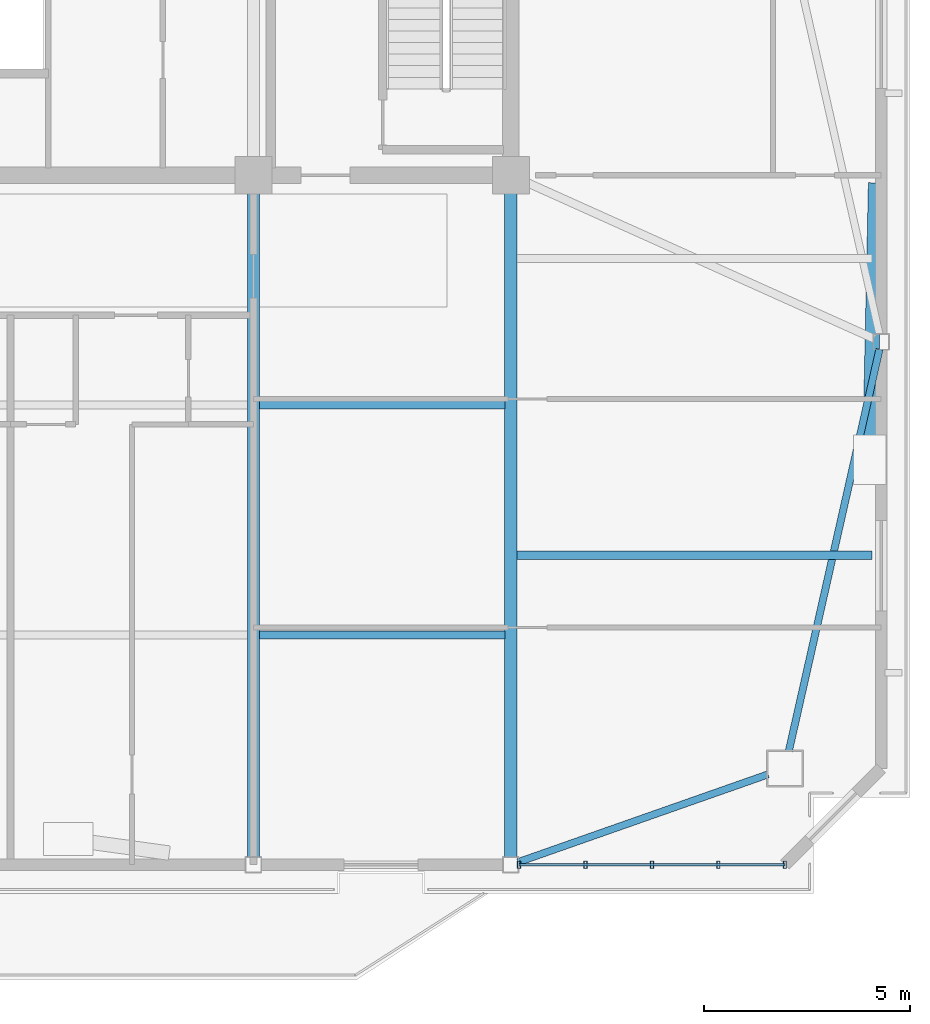
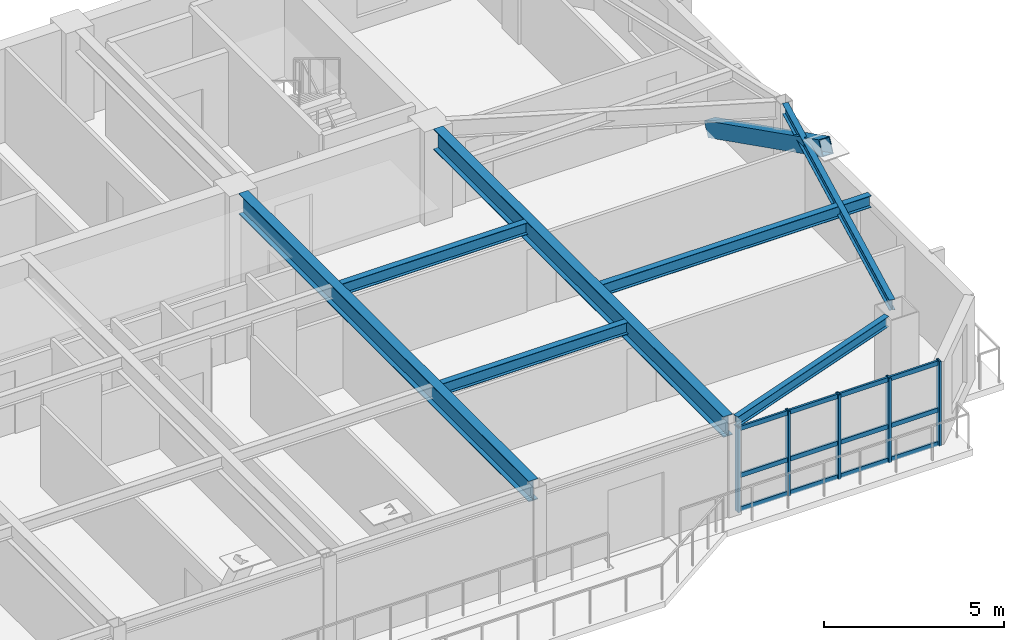
# One storey, part 4 of 14: 9 members, 7 beams, 1 element without a shape of its own.
"""IFC4 building model written with IfcOpenShell, lengths in metres."""

from ifc_helpers import new_model, si_unit, direction, frame, origin, origin_2d, place, context, subcontext, project, spatial, hollow_rectangle, i_section, extrude, source, transform, mapped, material, layer, layer_set, material_profile, profile_set, type_object, element, aggregate, save


model = new_model("IFC4")

# Units and contexts
model_context = context("Model", 3, precision=1e-05, world=origin(), true_north=direction((0.0, 1.0)))
body_context = subcontext(model_context, "Body", "Model", "MODEL_VIEW")
ifc_project = project(units=[si_unit("LENGTHUNIT", "METRE"), si_unit("AREAUNIT", "SQUARE_METRE"), si_unit("VOLUMEUNIT", "CUBIC_METRE"), si_unit("PLANEANGLEUNIT", "RADIAN"), si_unit("MASSUNIT", "GRAM", prefix="KILO")], contexts=[model_context])

# Site, building, storey
site_placement = place(None, origin())
site = spatial("IfcSite", under=ifc_project, at=site_placement, CompositionType="ELEMENT")
building_placement = place(site_placement, origin())
building = spatial("IfcBuilding", under=site, at=building_placement, Name="Giltprow Tower", CompositionType="ELEMENT")
storey_placement = place(building_placement, frame((0.0, 0.0, 317.60009765625)))
storey = spatial("IfcBuildingStorey", under=building, at=storey_placement, Name="L82", CompositionType="ELEMENT", Elevation=317.60009765625)

# Beams
ifc_material_1 = material(Name="Structural steel Q355B", Category="steel")
ifc_material_profile_1 = material_profile(ifc_material_1, i_section(OverallWidth=0.199951171875, OverallDepth=0.39990234375, WebThickness=0.008056640625, FlangeThickness=0.012939453125, at=origin_2d()), Name="HN 400x200x8x13")
ifc_profile_set_1 = profile_set([ifc_material_profile_1], Name="Structural steel Q355B")
beam_type_1 = type_object("IfcBeamType", Name="BM-JOIST-HN400", PredefinedType="JOIST", material=ifc_profile_set_1)
shared_shape_1 = source(origin(), body_context, "Body", "SweptSolid", [
    extrude(i_section(OverallWidth=0.199951171875, OverallDepth=0.39990234375, WebThickness=0.008056640625, FlangeThickness=0.012939453125, at=origin_2d()), origin(), (0.0, 0.0, 1.0), 5.9599609375),
])
for number, where, z_axis, x_axis, name in (
    (1, (44.445068359375, 26.285888671875, 2.98486328125), (1.0, 0.0, 0.0), (0.0, 1.0, 0.0), "L82 Composite Floor Joist 1-4"),
    (2, (44.445068359375, 31.867919921875, 2.98486328125), (1.0, 0.0, 0.0), (0.0, 1.0, 0.0), "L82 Composite Floor Joist 2-4"),
):
    element("IfcBeam", number, at=place(storey_placement, frame(where, z_axis=z_axis, x_axis=x_axis)), inside=storey, type_object=beam_type_1, Name=name, PredefinedType="JOIST", context=body_context, shape_type="MappedRepresentation", body=[
        mapped(shared_shape_1, transform((0.0, 0.0, 0.0), x_axis=(1.0, 0.0, 0.0), y_axis=(0.0, 1.0, 0.0), z_axis=(0.0, 0.0, 1.0), scale=1.0)),
    ])
ifc_material_profile_2 = material_profile(ifc_material_1, i_section(OverallWidth=0.175048828125, OverallDepth=0.35009765625, WebThickness=0.007080078125, FlangeThickness=0.010986328125, at=origin_2d()), Name="HN 350x175x7x11")
ifc_profile_set_2 = profile_set([ifc_material_profile_2], Name="Structural steel Q355B")
beam_type_2 = type_object("IfcBeamType", Name="BM-SPAN-HN350", PredefinedType="SPANDREL", material=ifc_profile_set_2)
shared_shape_2 = source(origin(), body_context, "Body", "SweptSolid", [
    extrude(i_section(OverallWidth=0.175048828125, OverallDepth=0.35009765625, WebThickness=0.007080078125, FlangeThickness=0.010986328125, at=origin_2d()), origin(), (0.0, 0.0, 1.0), 6.436767578125),
])
beam_1_placement = place(storey_placement, frame((50.72509765625, 20.764892578125, 3.010009765625), z_axis=(0.943494118262, 0.331389270804, 0.0), x_axis=(-0.331389270804, 0.943494118262, 0.0)))
element("IfcBeam", 3, at=beam_1_placement, inside=storey, type_object=beam_type_2, Name="L82 Perimeter Spandrel Beam S4-MC_SE", PredefinedType="SPANDREL", context=body_context, shape_type="MappedRepresentation", body=[
    mapped(shared_shape_2, transform((0.0, 0.0, 0.0), x_axis=(1.0, 0.0, 0.0), y_axis=(0.0, 1.0, 0.0), z_axis=(0.0, 0.0, 1.0), scale=1.0)),
])
shared_shape_3 = source(origin(), body_context, "Body", "SweptSolid", [
    extrude(i_section(OverallWidth=0.175048828125, OverallDepth=0.35009765625, WebThickness=0.007080078125, FlangeThickness=0.010986328125, at=origin_2d()), origin(), (0.0, 0.0, 1.0), 10.0009765625),
])
beam_2_placement = place(storey_placement, frame((57.303955078125, 23.466064453125, 3.010009765625), z_axis=(0.22006980481, 0.975484126478, 0.0), x_axis=(-0.975484126478, 0.22006980481, 0.0)))
element("IfcBeam", 4, at=beam_2_placement, inside=storey, type_object=beam_type_2, Name="L82 Perimeter Spandrel Beam MC_SE-E_MID", PredefinedType="SPANDREL", context=body_context, shape_type="MappedRepresentation", body=[
    mapped(shared_shape_3, transform((0.0, 0.0, 0.0), x_axis=(1.0, 0.0, 0.0), y_axis=(0.0, 1.0, 0.0), z_axis=(0.0, 0.0, 1.0), scale=1.0)),
])
ifc_material_profile_3 = material_profile(ifc_material_1, i_section(OverallWidth=0.300048828125, OverallDepth=0.699951171875, WebThickness=0.012939453125, FlangeThickness=0.02392578125, at=origin_2d()), Name="HN 700x300x13x24")
ifc_profile_set_3 = profile_set([ifc_material_profile_3], Name="Structural steel Q355B")
beam_type_3 = type_object("IfcBeamType", Name="BM-GIRD-HN700", PredefinedType="BEAM", material=ifc_profile_set_3)
shared_shape_4 = source(origin(), body_context, "Body", "SweptSolid", [
    extrude(i_section(OverallWidth=0.300048828125, OverallDepth=0.699951171875, WebThickness=0.012939453125, FlangeThickness=0.02392578125, at=origin_2d()), origin(), (0.0, 0.0, 1.0), 16.1259765625),
])
for number, where, z_axis, x_axis, name in (
    (5, (44.300048828125, 20.888916015625, 2.8349609375), (0.0, 1.0, 0.0), (-1.0, 0.0, 0.0), "L82 Primary Lease Girder S3"),
    (6, (50.550048828125, 20.888916015625, 2.8349609375), (0.0, 1.0, 0.0), (-1.0, 0.0, 0.0), "L82 Primary Lease Girder S4"),
):
    element("IfcBeam", number, at=place(storey_placement, frame(where, z_axis=z_axis, x_axis=x_axis)), inside=storey, type_object=beam_type_3, Name=name, PredefinedType="BEAM", context=body_context, shape_type="MappedRepresentation", body=[
        mapped(shared_shape_4, transform((0.0, 0.0, 0.0), x_axis=(1.0, 0.0, 0.0), y_axis=(0.0, 1.0, 0.0), z_axis=(0.0, 0.0, 1.0), scale=1.0)),
    ])
shared_shape_5 = source(origin(), body_context, "Body", "SweptSolid", [
    extrude(i_section(OverallWidth=0.199951171875, OverallDepth=0.39990234375, WebThickness=0.008056640625, FlangeThickness=0.012939453125, at=origin_2d()), origin(), (0.0, 0.0, 1.0), 8.630859375),
])
beam_3_placement = place(storey_placement, frame((50.695068359375, 28.221923828125, 2.98486328125), z_axis=(1.0, 0.0, 0.0), x_axis=(0.0, 1.0, 0.0)))
element("IfcBeam", 7, at=beam_3_placement, inside=storey, type_object=beam_type_1, Name="L82 East Wing Floor Joist 1", PredefinedType="JOIST", context=body_context, shape_type="MappedRepresentation", body=[
    mapped(shared_shape_5, transform((0.0, 0.0, 0.0), x_axis=(1.0, 0.0, 0.0), y_axis=(0.0, 1.0, 0.0), z_axis=(0.0, 0.0, 1.0), scale=1.0)),
])

# Member
ifc_material_2 = material(Name="Structural steel Q420GJC", Category="steel")
ifc_material_profile_4 = material_profile(ifc_material_2, hollow_rectangle(XDim=0.35009765625, YDim=0.5, WallThickness=0.02392578125, at=origin_2d()), Name="RHS 500x350x24")
ifc_profile_set_4 = profile_set([ifc_material_profile_4], Name="Structural steel Q420GJC")
member_type_1 = type_object("IfcMemberType", Name="MBR-MEGA-RHS500", PredefinedType="BRACE", material=ifc_profile_set_4)
shared_shape_6 = source(origin(), body_context, "Body", "SweptSolid", [
    extrude(hollow_rectangle(XDim=0.35009765625, YDim=0.5, WallThickness=0.02392578125, at=origin_2d()), origin(), (0.0, 0.0, 1.0), 7.43603515625),
])
member_1_placement = place(storey_placement, frame((59.407958984375, 37.15087890625, 0.0), z_axis=(-0.018681440877, -0.889157788811, 0.457219236651), x_axis=(0.999779357426, -0.021005629362, 0.0)))
element("IfcMember", 8, at=member_1_placement, inside=storey, type_object=member_type_1, Name="L82 Chevron Mega-Brace E-D", PredefinedType="BRACE", context=body_context, shape_type="MappedRepresentation", body=[
    mapped(shared_shape_6, transform((0.0, 0.0, 0.0), x_axis=(1.0, 0.0, 0.0), y_axis=(0.0, 1.0, 0.0), z_axis=(0.0, 0.0, 1.0), scale=1.0)),
])

# Curtain wall, members
ifc_material_3 = material(Name="Anodized bronze", Category="metal")
ifc_layer = layer(ifc_material_3, 0.179931640625, Name="Anodized bronze")
ifc_layer_set = layer_set([ifc_layer], Name="Anodized bronze")
curtain_wall_type = type_object("IfcCurtainWallType", Name="CW-RES-SKY", PredefinedType="NOTDEFINED", material=ifc_layer_set)
curtain_wall_placement = place(storey_placement, origin())
curtain_wall = element("IfcCurtainWall", 9, at=curtain_wall_placement, inside=storey, type_object=curtain_wall_type, Name="L82 South Recessed Curtain Wall 6", PredefinedType="NOTDEFINED")
ifc_material_profile_5 = material_profile(ifc_material_3, hollow_rectangle(XDim=0.074951171875, YDim=0.179931640625, WallThickness=0.008056640625, at=origin_2d()), Name="RHS 180x75x8")
ifc_profile_set_5 = profile_set([ifc_material_profile_5], Name="Anodized bronze")
member_type_2 = type_object("IfcMemberType", Name="CW-MULLION-180x75", PredefinedType="MULLION", material=ifc_profile_set_5)
shared_shape_7 = source(origin(), body_context, "Body", "SweptSolid", [
    extrude(hollow_rectangle(XDim=0.074951171875, YDim=0.179931640625, WallThickness=0.008056640625, at=origin_2d()), origin(), (0.0, 0.0, 1.0), 2.869873046875),
])
member_2_placement = place(storey_placement, frame((50.75, 20.7041015625, -0.02001953125), z_axis=(0.0, 0.0, 1.0), x_axis=(1.0, 0.0, 0.0)))
member_2 = element("IfcMember", 10, at=member_2_placement, type_object=member_type_2, Name="L82 South Recessed Curtain Wall 6 Mullion 1", PredefinedType="MULLION", context=body_context, shape_type="MappedRepresentation", body=[
    mapped(shared_shape_7, transform((0.0, 0.0, 0.0), x_axis=(1.0, 0.0, 0.0), y_axis=(0.0, 1.0, 0.0), z_axis=(0.0, 0.0, 1.0), scale=1.0)),
])
member_3_placement = place(storey_placement, frame((52.364013671875, 20.7041015625, -0.02001953125), z_axis=(0.0, 0.0, 1.0), x_axis=(1.0, 0.0, 0.0)))
member_3 = element("IfcMember", 11, at=member_3_placement, type_object=member_type_2, Name="L82 South Recessed Curtain Wall 6 Mullion 2", PredefinedType="MULLION", context=body_context, shape_type="MappedRepresentation", body=[
    mapped(shared_shape_7, transform((0.0, 0.0, 0.0), x_axis=(1.0, 0.0, 0.0), y_axis=(0.0, 1.0, 0.0), z_axis=(0.0, 0.0, 1.0), scale=1.0)),
])
member_4_placement = place(storey_placement, frame((53.97900390625, 20.7041015625, -0.02001953125), z_axis=(0.0, 0.0, 1.0), x_axis=(1.0, 0.0, 0.0)))
member_4 = element("IfcMember", 12, at=member_4_placement, type_object=member_type_2, Name="L82 South Recessed Curtain Wall 6 Mullion 3", PredefinedType="MULLION", context=body_context, shape_type="MappedRepresentation", body=[
    mapped(shared_shape_7, transform((0.0, 0.0, 0.0), x_axis=(1.0, 0.0, 0.0), y_axis=(0.0, 1.0, 0.0), z_axis=(0.0, 0.0, 1.0), scale=1.0)),
])
member_5_placement = place(storey_placement, frame((55.593017578125, 20.7041015625, -0.02001953125), z_axis=(0.0, 0.0, 1.0), x_axis=(1.0, 0.0, 0.0)))
member_5 = element("IfcMember", 13, at=member_5_placement, type_object=member_type_2, Name="L82 South Recessed Curtain Wall 6 Mullion 4", PredefinedType="MULLION", context=body_context, shape_type="MappedRepresentation", body=[
    mapped(shared_shape_7, transform((0.0, 0.0, 0.0), x_axis=(1.0, 0.0, 0.0), y_axis=(0.0, 1.0, 0.0), z_axis=(0.0, 0.0, 1.0), scale=1.0)),
])
member_6_placement = place(storey_placement, frame((57.2080078125, 20.7041015625, -0.02001953125), z_axis=(0.0, 0.0, 1.0), x_axis=(1.0, 0.0, 0.0)))
member_6 = element("IfcMember", 14, at=member_6_placement, type_object=member_type_2, Name="L82 South Recessed Curtain Wall 6 Mullion 5", PredefinedType="MULLION", context=body_context, shape_type="MappedRepresentation", body=[
    mapped(shared_shape_7, transform((0.0, 0.0, 0.0), x_axis=(1.0, 0.0, 0.0), y_axis=(0.0, 1.0, 0.0), z_axis=(0.0, 0.0, 1.0), scale=1.0)),
])
ifc_material_profile_6 = material_profile(ifc_material_3, hollow_rectangle(XDim=0.06494140625, YDim=0.14990234375, WallThickness=0.006103515625, at=origin_2d()), Name="RHS 150x65x6")
ifc_profile_set_6 = profile_set([ifc_material_profile_6], Name="Anodized bronze")
member_type_3 = type_object("IfcMemberType", Name="CW-TRANSOM-150x65", PredefinedType="USERDEFINED", material=ifc_profile_set_6)
shared_shape_8 = source(origin(), body_context, "Body", "SweptSolid", [
    extrude(hollow_rectangle(XDim=0.06494140625, YDim=0.14990234375, WallThickness=0.006103515625, at=origin_2d()), origin(), (0.0, 0.0, 1.0), 6.4580078125),
])
member_7_placement = place(storey_placement, frame((50.75, 20.7041015625, 0.039794921875), z_axis=(1.0, 0.0, 0.0), x_axis=(0.0, 1.0, 0.0)))
member_7 = element("IfcMember", 15, at=member_7_placement, type_object=member_type_3, Name="L82 South Recessed Curtain Wall 6 Transom 1", ObjectType="TRANSOM", PredefinedType="USERDEFINED", context=body_context, shape_type="MappedRepresentation", body=[
    mapped(shared_shape_8, transform((0.0, 0.0, 0.0), x_axis=(1.0, 0.0, 0.0), y_axis=(0.0, 1.0, 0.0), z_axis=(0.0, 0.0, 1.0), scale=1.0)),
])
member_8_placement = place(storey_placement, frame((50.75, 20.7041015625, 1.181884765625), z_axis=(1.0, 0.0, 0.0), x_axis=(0.0, 1.0, 0.0)))
member_8 = element("IfcMember", 16, at=member_8_placement, type_object=member_type_3, Name="L82 South Recessed Curtain Wall 6 Transom 2", ObjectType="TRANSOM", PredefinedType="USERDEFINED", context=body_context, shape_type="MappedRepresentation", body=[
    mapped(shared_shape_8, transform((0.0, 0.0, 0.0), x_axis=(1.0, 0.0, 0.0), y_axis=(0.0, 1.0, 0.0), z_axis=(0.0, 0.0, 1.0), scale=1.0)),
])
member_9_placement = place(storey_placement, frame((50.75, 20.7041015625, 2.77490234375), z_axis=(1.0, 0.0, 0.0), x_axis=(0.0, 1.0, 0.0)))
member_9 = element("IfcMember", 17, at=member_9_placement, type_object=member_type_3, Name="L82 South Recessed Curtain Wall 6 Transom 3", ObjectType="TRANSOM", PredefinedType="USERDEFINED", context=body_context, shape_type="MappedRepresentation", body=[
    mapped(shared_shape_8, transform((0.0, 0.0, 0.0), x_axis=(1.0, 0.0, 0.0), y_axis=(0.0, 1.0, 0.0), z_axis=(0.0, 0.0, 1.0), scale=1.0)),
])
aggregate(curtain_wall, [member_2, member_3, member_4, member_5, member_6, member_7, member_8, member_9])

save(model, "model.ifc")
